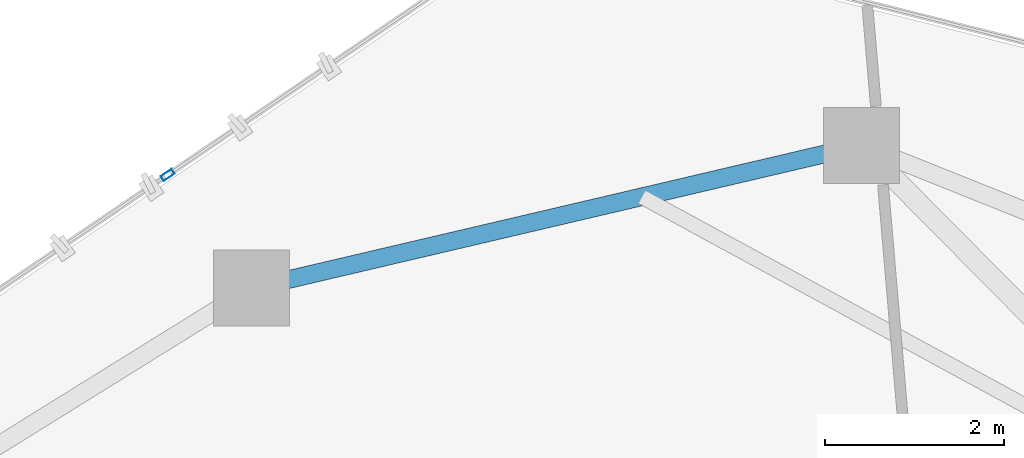
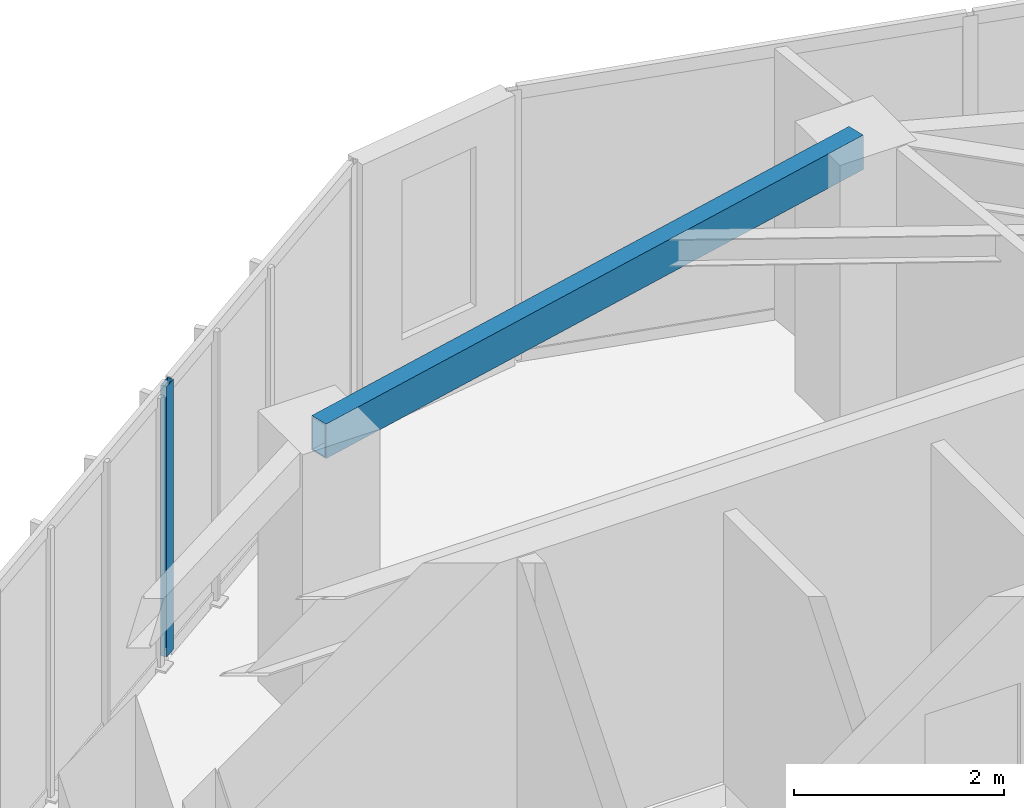
# One storey, part 11 of 20: 1 beam, 1 member, 1 element without a shape of its own.
"""IFC4 building model written with IfcOpenShell, lengths in metres."""

from ifc_helpers import new_model, si_unit, direction, frame, origin, origin_2d, place, context, subcontext, project, spatial, hollow_rectangle, extrude, source, transform, mapped, material, layer, layer_set, material_profile, profile_set, type_object, type_shapes, element, aggregate, save


model = new_model("IFC4")

# Units and contexts
model_context = context("Model", 3, precision=1e-05, world=origin(), true_north=direction((0.0, 1.0)))
body_context = subcontext(model_context, "Body", "Model", "MODEL_VIEW")
ifc_project = project(units=[si_unit("LENGTHUNIT", "METRE"), si_unit("AREAUNIT", "SQUARE_METRE"), si_unit("VOLUMEUNIT", "CUBIC_METRE"), si_unit("PLANEANGLEUNIT", "RADIAN"), si_unit("MASSUNIT", "GRAM", prefix="KILO")], contexts=[model_context])

# Site, building, storey
site_placement = place(None, origin())
site = spatial("IfcSite", under=ifc_project, at=site_placement, CompositionType="ELEMENT")
building_placement = place(site_placement, origin())
building = spatial("IfcBuilding", under=site, at=building_placement, Name="Talar Marvaseh", CompositionType="ELEMENT")
storey_placement = place(building_placement, frame((0.0, 0.0, 244.199951171875)))
storey = spatial("IfcBuildingStorey", under=building, at=storey_placement, Name="L64", CompositionType="ELEMENT", Elevation=244.199951171875)

# Beam
ifc_material_1 = material(Name="Steel S355", Category="steel")
ifc_material_profile_1 = material_profile(ifc_material_1, hollow_rectangle(XDim=0.199951171875, YDim=0.39990234375, WallThickness=0.013916015625, at=origin_2d()), Name="RHS400x200x14")
ifc_profile_set_1 = profile_set([ifc_material_profile_1], Name="Steel S355")
beam_type = type_object("IfcBeamType", Name="Zone 3 Perimeter Spandrel Beam RHS400x200x14", PredefinedType="SPANDREL", material=ifc_profile_set_1)
beam_placement = place(storey_placement, frame((22.364990234375, 39.4541015625, 2.93994140625), z_axis=(0.973655602276, 0.228023613157, 0.0), x_axis=(-0.228023613157, 0.973655602276, 0.0)))
element("IfcBeam", 1, at=beam_placement, inside=storey, type_object=beam_type, Name="L64 Zone 3 Perimeter Spandrel Beam RHS400x200x14", PredefinedType="SPANDREL", context=body_context, shape_type="SweptSolid", body=[
    extrude(hollow_rectangle(XDim=0.199951171875, YDim=0.39990234375, WallThickness=0.013916015625, at=origin_2d()), origin(), (0.0, 0.0, 1.0), 7.007568359375),
])

# Curtain wall, member
ifc_material_2 = material(Name="Architectural Aluminium", Category="aluminium")
ifc_layer = layer(ifc_material_2, 0.179931640625)
ifc_layer_set = layer_set([ifc_layer], Name="Architectural Aluminium")
curtain_wall_type = type_object("IfcCurtainWallType", Name="Unitised High-Wind Sky Curtain Wall Z4", PredefinedType="NOTDEFINED", material=ifc_layer_set)
curtain_wall_placement = place(storey_placement, origin())
curtain_wall = element("IfcCurtainWall", 2, at=curtain_wall_placement, inside=storey, type_object=curtain_wall_type, Name="L64 Unitised High-Wind Sky Curtain Wall Z4", PredefinedType="NOTDEFINED")
ifc_material_profile_2 = material_profile(ifc_material_2, hollow_rectangle(XDim=0.06494140625, YDim=0.14990234375, WallThickness=0.00390625, at=origin_2d()), Name="RHS150x65x4")
ifc_profile_set_2 = profile_set([ifc_material_profile_2], Name="Architectural Aluminium")
member_type = type_object("IfcMemberType", Name="Unitised Curtain Wall Slim Mullion RHS150x65x4", PredefinedType="MULLION", material=ifc_profile_set_2)
shared_shape = source(origin(), body_context, "Body", "SweptSolid", [
    extrude(hollow_rectangle(XDim=0.06494140625, YDim=0.14990234375, WallThickness=0.00390625, at=origin_2d()), origin(), (0.0, 0.0, 1.0), 3.14013671875),
])
type_shapes(member_type, [shared_shape])
member_placement = place(storey_placement, frame((21.429931640625, 40.72119140625, 0.0), z_axis=(0.0, 0.0, 1.0), x_axis=(-0.561822529848, 0.827257786277, 0.0)))
member = element("IfcMember", 3, at=member_placement, type_object=member_type, Name="CW-Z4 mullion 3", PredefinedType="MULLION", context=body_context, shape_type="MappedRepresentation", body=[
    mapped(shared_shape, transform((0.0, 0.0, 0.0), x_axis=(1.0, 0.0, 0.0), y_axis=(0.0, 1.0, 0.0), z_axis=(0.0, 0.0, 1.0), scale=1.0)),
])
aggregate(curtain_wall, [member])

save(model, "model.ifc")
